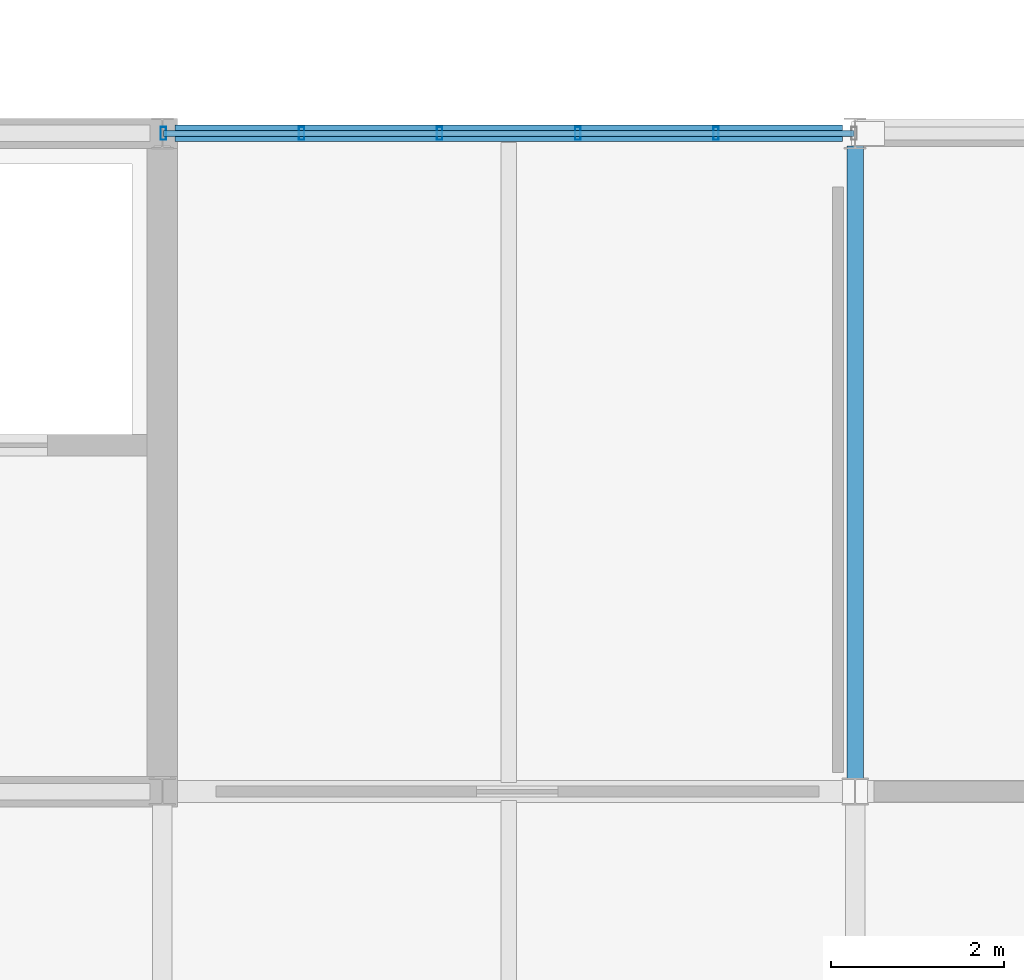
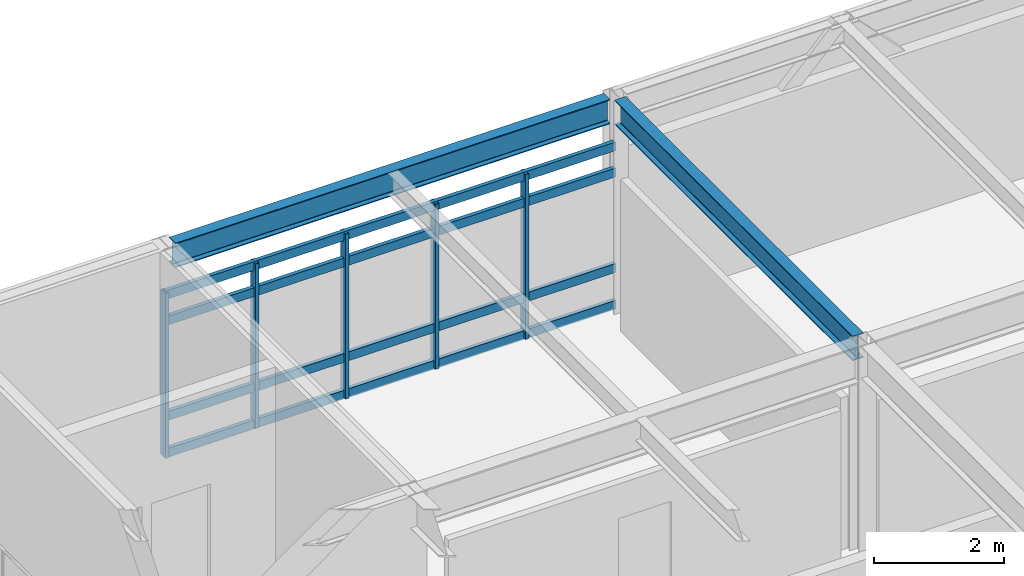
# One storey, part 8 of 17: 9 members, 2 beams, 1 element without a shape of its own.
"""IFC4 building model written with IfcOpenShell, lengths in metres."""

from ifc_helpers import new_model, si_unit, direction, frame, origin, origin_2d, place, context, subcontext, project, spatial, hollow_rectangle, i_section, extrude, material, material_profile, profile_set, type_object, element, aggregate, save


model = new_model("IFC4")

# Units and contexts
model_context = context("Model", 3, precision=1e-05, world=origin(), true_north=direction((0.0, 1.0)))
body_context = subcontext(model_context, "Body", "Model", "MODEL_VIEW")
ifc_project = project(units=[si_unit("LENGTHUNIT", "METRE"), si_unit("AREAUNIT", "SQUARE_METRE"), si_unit("VOLUMEUNIT", "CUBIC_METRE"), si_unit("PLANEANGLEUNIT", "RADIAN"), si_unit("MASSUNIT", "GRAM", prefix="KILO")], contexts=[model_context])

# Site, building, storey
site_placement = place(None, origin())
site = spatial("IfcSite", under=ifc_project, at=site_placement, CompositionType="ELEMENT")
building_placement = place(site_placement, origin())
building = spatial("IfcBuilding", under=site, at=building_placement, Name="Zulena Civic Courthouse", CompositionType="ELEMENT")
storey_placement = place(building_placement, frame((0.0, 0.0, 42.0)))
storey = spatial("IfcBuildingStorey", under=building, at=storey_placement, Name="L09", CompositionType="ELEMENT", Elevation=42.0)

# Curtain wall, members
ifc_material_1 = material(Name="Double-silver low-E laminated solar-control glass", Category="glass")
curtain_wall_type = type_object("IfcCurtainWallType", Name="CW_7976x3090", PredefinedType="USERDEFINED", material=ifc_material_1)
curtain_wall_placement = place(storey_placement, origin())
curtain_wall = element("IfcCurtainWall", 1, at=curtain_wall_placement, inside=storey, type_object=curtain_wall_type, Name="cw:V2:L09:1:1", ObjectType="UNITISED CURTAIN WALL", PredefinedType="USERDEFINED")
ifc_material_2 = material(Name="Bronze anodised thermally broken aluminium AA6063-T6", Category="aluminium")
ifc_material_profile_1 = material_profile(ifc_material_2, hollow_rectangle(XDim=0.06494140625, YDim=0.14990234375, WallThickness=0.00390625, at=origin_2d()), Name="CWM150X65X4")
ifc_profile_set_1 = profile_set([ifc_material_profile_1], Name="Bronze anodised thermally broken aluminium AA6063-T6")
member_type_1 = type_object("IfcMemberType", Name="CWMullion_150x65", PredefinedType="MULLION", material=ifc_profile_set_1)
member_1_placement = place(storey_placement, frame((28.011962890625, 22.800048828125, 0.0), z_axis=(0.0, 0.0, 1.0), x_axis=(1.0, 0.0, 0.0)))
member_1 = element("IfcMember", 2, at=member_1_placement, type_object=member_type_1, Name="cw:V2:L09:1:1:mull:0", PredefinedType="MULLION", context=body_context, shape_type="SweptSolid", body=[
    extrude(hollow_rectangle(XDim=0.06494140625, YDim=0.14990234375, WallThickness=0.00390625, at=origin_2d()), origin(), (0.0, 0.0, 1.0), 3.090087890625),
])
member_2_placement = place(storey_placement, frame((29.607177734375, 22.800048828125, 0.0), z_axis=(0.0, 0.0, 1.0), x_axis=(1.0, 0.0, 0.0)))
member_2 = element("IfcMember", 3, at=member_2_placement, type_object=member_type_1, Name="cw:V2:L09:1:1:mull:1", PredefinedType="MULLION", context=body_context, shape_type="SweptSolid", body=[
    extrude(hollow_rectangle(XDim=0.06494140625, YDim=0.14990234375, WallThickness=0.00390625, at=origin_2d()), origin(), (0.0, 0.0, 1.0), 3.090087890625),
])
member_3_placement = place(storey_placement, frame((31.202392578125, 22.800048828125, 0.0), z_axis=(0.0, 0.0, 1.0), x_axis=(1.0, 0.0, 0.0)))
member_3 = element("IfcMember", 4, at=member_3_placement, type_object=member_type_1, Name="cw:V2:L09:1:1:mull:2", PredefinedType="MULLION", context=body_context, shape_type="SweptSolid", body=[
    extrude(hollow_rectangle(XDim=0.06494140625, YDim=0.14990234375, WallThickness=0.00390625, at=origin_2d()), origin(), (0.0, 0.0, 1.0), 3.090087890625),
])
member_4_placement = place(storey_placement, frame((32.797607421875, 22.800048828125, 0.0), z_axis=(0.0, 0.0, 1.0), x_axis=(1.0, 0.0, 0.0)))
member_4 = element("IfcMember", 5, at=member_4_placement, type_object=member_type_1, Name="cw:V2:L09:1:1:mull:3", PredefinedType="MULLION", context=body_context, shape_type="SweptSolid", body=[
    extrude(hollow_rectangle(XDim=0.06494140625, YDim=0.14990234375, WallThickness=0.00390625, at=origin_2d()), origin(), (0.0, 0.0, 1.0), 3.090087890625),
])
member_5_placement = place(storey_placement, frame((34.392822265625, 22.800048828125, 0.0), z_axis=(0.0, 0.0, 1.0), x_axis=(1.0, 0.0, 0.0)))
member_5 = element("IfcMember", 6, at=member_5_placement, type_object=member_type_1, Name="cw:V2:L09:1:1:mull:4", PredefinedType="MULLION", context=body_context, shape_type="SweptSolid", body=[
    extrude(hollow_rectangle(XDim=0.06494140625, YDim=0.14990234375, WallThickness=0.00390625, at=origin_2d()), origin(), (0.0, 0.0, 1.0), 3.090087890625),
])
ifc_material_profile_2 = material_profile(ifc_material_2, hollow_rectangle(XDim=0.070068359375, YDim=0.1650390625, WallThickness=0.00390625, at=origin_2d()), Name="CWT165X70X4")
ifc_profile_set_2 = profile_set([ifc_material_profile_2], Name="Bronze anodised thermally broken aluminium AA6063-T6")
member_type_2 = type_object("IfcMemberType", Name="CWTransom_165x70", PredefinedType="USERDEFINED", material=ifc_profile_set_2)
member_6_placement = place(storey_placement, frame((28.011962890625, 22.800048828125, 0.06005859375), z_axis=(1.0, 0.0, 0.0), x_axis=(0.0, 1.0, 0.0)))
member_6 = element("IfcMember", 7, at=member_6_placement, type_object=member_type_2, Name="cw:V2:L09:1:1:tran:0", ObjectType="TRANSOM", PredefinedType="USERDEFINED", context=body_context, shape_type="SweptSolid", body=[
    extrude(hollow_rectangle(XDim=0.070068359375, YDim=0.1650390625, WallThickness=0.00390625, at=origin_2d()), origin(), (0.0, 0.0, 1.0), 7.97607421875),
])
member_7_placement = place(storey_placement, frame((28.011962890625, 22.800048828125, 0.75), z_axis=(1.0, 0.0, 0.0), x_axis=(0.0, 1.0, 0.0)))
member_7 = element("IfcMember", 8, at=member_7_placement, type_object=member_type_2, Name="cw:V2:L09:1:1:tran:1", ObjectType="TRANSOM", PredefinedType="USERDEFINED", context=body_context, shape_type="SweptSolid", body=[
    extrude(hollow_rectangle(XDim=0.070068359375, YDim=0.1650390625, WallThickness=0.00390625, at=origin_2d()), origin(), (0.0, 0.0, 1.0), 7.97607421875),
])
member_8_placement = place(storey_placement, frame((28.011962890625, 22.800048828125, 2.5400390625), z_axis=(1.0, 0.0, 0.0), x_axis=(0.0, 1.0, 0.0)))
member_8 = element("IfcMember", 9, at=member_8_placement, type_object=member_type_2, Name="cw:V2:L09:1:1:tran:2", ObjectType="TRANSOM", PredefinedType="USERDEFINED", context=body_context, shape_type="SweptSolid", body=[
    extrude(hollow_rectangle(XDim=0.070068359375, YDim=0.1650390625, WallThickness=0.00390625, at=origin_2d()), origin(), (0.0, 0.0, 1.0), 7.97607421875),
])
member_9_placement = place(storey_placement, frame((28.011962890625, 22.800048828125, 3.030029296875), z_axis=(1.0, 0.0, 0.0), x_axis=(0.0, 1.0, 0.0)))
member_9 = element("IfcMember", 10, at=member_9_placement, type_object=member_type_2, Name="cw:V2:L09:1:1:tran:3", ObjectType="TRANSOM", PredefinedType="USERDEFINED", context=body_context, shape_type="SweptSolid", body=[
    extrude(hollow_rectangle(XDim=0.070068359375, YDim=0.1650390625, WallThickness=0.00390625, at=origin_2d()), origin(), (0.0, 0.0, 1.0), 7.97607421875),
])
aggregate(curtain_wall, [member_1, member_2, member_3, member_4, member_5, member_6, member_7, member_8, member_9])

# Beams
ifc_material_3 = material(Name="Steel ASTM A992 Grade 50", Category="steel")
ifc_material_profile_3 = material_profile(ifc_material_3, i_section(OverallWidth=0.19091796875, OverallDepth=0.4599609375, WebThickness=0.010009765625, FlangeThickness=0.01611328125, FilletRadius=0.01025390625, at=origin_2d()), Name="W18X55")
ifc_profile_set_3 = profile_set([ifc_material_profile_3], Name="Steel ASTM A992 Grade 50")
beam_type = type_object("IfcBeamType", Name="Spandrel_W18X55", PredefinedType="SPANDREL", material=ifc_profile_set_3)
beam_1_placement = place(storey_placement, frame((28.14501953125, 22.800048828125, 3.764892578125), z_axis=(1.0, 0.0, 0.0), x_axis=(0.0, 1.0, 0.0)))
element("IfcBeam", 11, at=beam_1_placement, inside=storey, type_object=beam_type, Name="beam:X:V2:L09:22.8:28.0_36.0", PredefinedType="SPANDREL", context=body_context, shape_type="SweptSolid", body=[
    extrude(i_section(OverallWidth=0.19091796875, OverallDepth=0.4599609375, WebThickness=0.010009765625, FlangeThickness=0.01611328125, FilletRadius=0.01025390625, at=origin_2d()), origin(), (0.0, 0.0, 1.0), 7.7099609375),
])
beam_2_placement = place(storey_placement, frame((36.0, 15.344970703125, 3.764892578125), z_axis=(0.0, 1.0, 0.0), x_axis=(-1.0, 0.0, 0.0)))
element("IfcBeam", 12, at=beam_2_placement, inside=storey, type_object=beam_type, Name="beam:Y:V2:L09:36.0:15.2_22.8", PredefinedType="SPANDREL", context=body_context, shape_type="SweptSolid", body=[
    extrude(i_section(OverallWidth=0.19091796875, OverallDepth=0.4599609375, WebThickness=0.010009765625, FlangeThickness=0.01611328125, FilletRadius=0.01025390625, at=origin_2d()), origin(), (0.0, 0.0, 1.0), 7.31005859375),
])

save(model, "model.ifc")
